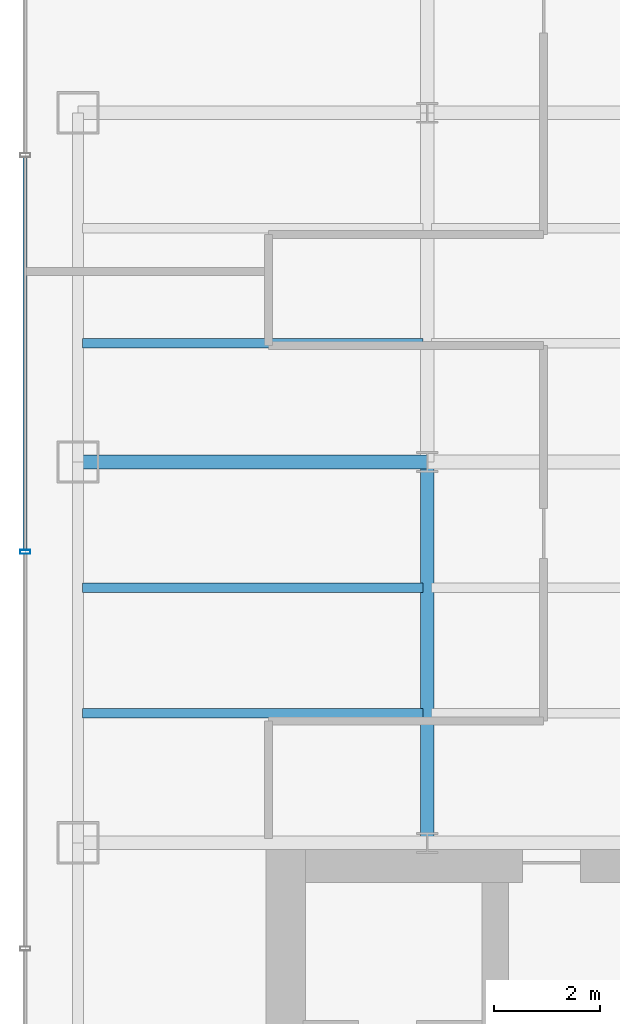
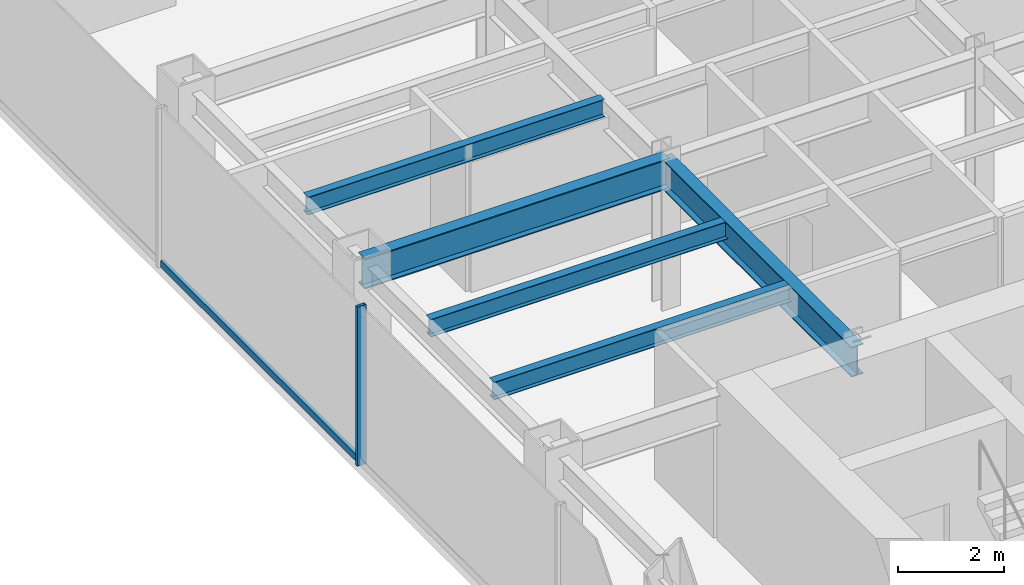
# One storey, part 4 of 26: 5 beams, 2 members, 1 element without a shape of its own.
"""IFC4 building model written with IfcOpenShell, lengths in metres."""

import ifcopenshell
import ifcopenshell.guid

model = None  # the IFC model being written
_history = None  # IfcOwnerHistory: only IFC2X3 demands one
_inside = {}  # id of a spatial element -> (the spatial element, [elements in it])
_under = {}  # id of a project, library or spatial element -> (it, [spatial elements below it])
_declared = {}  # id of a project -> (the project, [libraries it declares])
_typed = {}  # id of a type object -> (the type object, [elements of that type])
_made_of = {}  # id of a material, layer set ... -> (it, [elements and type objects made of it])


def new_model(schema):
    """Start an empty IFC model of exactly this schema.

    Asked for "IFC4X3", IfcOpenShell would pick the latest addendum, in which some entities
    have other attributes; the version numbers below select the first issue.
    IFC2X3 requires an IfcOwnerHistory on every rooted entity: one is made here for all.
    """
    global model, _history
    if schema == "IFC4X3":
        model = ifcopenshell.file(schema_version=(4, 3, 0, 0))
    else:
        model = ifcopenshell.file(schema=schema)
    _inside.clear()
    _under.clear()
    _declared.clear()
    _typed.clear()
    _made_of.clear()
    _history = None
    if model.schema == "IFC2X3":
        org = make("IfcOrganization", Name="unknown")
        user = make(
            "IfcPersonAndOrganization",
            ThePerson=make("IfcPerson", FamilyName="unknown"),
            TheOrganization=org,
        )
        app = make(
            "IfcApplication",
            ApplicationDeveloper=org,
            Version="unknown",
            ApplicationFullName="unknown",
            ApplicationIdentifier="unknown",
        )
        _history = make(
            "IfcOwnerHistory",
            OwningUser=user,
            OwningApplication=app,
            ChangeAction="ADDED",
            CreationDate=0,
        )
    return model


def make(cls, **values):
    """One entity of the class cls with the attributes given. An attribute that is None is left unset."""
    return model.create_entity(
        cls, **{name: value for name, value in values.items() if value is not None}
    )


def rooted(cls, **values):
    """An entity with a GlobalId (a new one), such as an element, a storey or a relation."""
    return make(cls, GlobalId=ifcopenshell.guid.new(), OwnerHistory=_history, **values)


def si_unit(unit_type, name, prefix=None):
    """IfcSIUnit, for example si_unit("LENGTHUNIT", "METRE", prefix="MILLI")."""
    return make("IfcSIUnit", UnitType=unit_type, Prefix=prefix, Name=name)


def derived_unit(unit_type, elements):
    """IfcDerivedUnit: a product of units, each with its exponent."""
    return make(
        "IfcDerivedUnit",
        Elements=[
            make("IfcDerivedUnitElement", Unit=unit, Exponent=power)
            for unit, power in elements
        ],
        UnitType=unit_type,
    )


def assignment(units):
    """IfcUnitAssignment: the units of a project."""
    return None if units is None else make("IfcUnitAssignment", Units=units)


def point(xyz):
    """IfcCartesianPoint."""
    return None if xyz is None else make("IfcCartesianPoint", Coordinates=xyz)


def direction(xyz):
    """IfcDirection."""
    return None if xyz is None else make("IfcDirection", DirectionRatios=xyz)


def frame(location, z_axis=None, x_axis=None):
    """IfcAxis2Placement3D, a coordinate frame: its origin and axes. An axis left out is left unset."""
    return make(
        "IfcAxis2Placement3D",
        Location=point(location),
        Axis=direction(z_axis),
        RefDirection=direction(x_axis),
    )


def frame_2d(location, x_axis=None):
    """IfcAxis2Placement2D, a coordinate frame in the plane: its origin and x axis."""
    return make(
        "IfcAxis2Placement2D", Location=point(location), RefDirection=direction(x_axis)
    )


def origin():
    """The frame at (0, 0, 0) with its axes left unset."""
    return frame((0.0, 0.0, 0.0))


def origin_2d():
    """The frame at (0, 0) in the plane with its x axis left unset."""
    return frame_2d((0.0, 0.0))


def place(relative_to, where):
    """IfcLocalPlacement: puts the frame where relative to a parent placement (None: the world)."""
    return make(
        "IfcLocalPlacement", PlacementRelTo=relative_to, RelativePlacement=where
    )


def context(
    kind, dimensions, precision=None, world=None, true_north=None, identifier=None
):
    """IfcGeometricRepresentationContext, for example the 3D "Model" context."""
    return make(
        "IfcGeometricRepresentationContext",
        ContextIdentifier=identifier,
        ContextType=kind,
        CoordinateSpaceDimension=dimensions,
        Precision=precision,
        WorldCoordinateSystem=world,
        TrueNorth=true_north,
    )


def subcontext(parent, identifier, kind, view, scale=None):
    """IfcGeometricRepresentationSubContext, for example "Body" below "Model"."""
    return make(
        "IfcGeometricRepresentationSubContext",
        ContextIdentifier=identifier,
        ContextType=kind,
        ParentContext=parent,
        TargetScale=scale,
        TargetView=view,
    )


def project(units=None, contexts=None):
    """IfcProject with its units and contexts."""
    return rooted(
        "IfcProject",
        Name="project",
        RepresentationContexts=contexts,
        UnitsInContext=assignment(units),
    )


def spatial(cls, under=None, at=None, **own):
    """A site, building, storey or space (cls), placed at a placement, below another one or the project."""
    s = rooted(cls, ObjectPlacement=at, **own)
    if under is not None:
        _under.setdefault(under.id(), (under, []))[1].append(s)
    return s


def profile(cls, at=None, kind="AREA", **sizes):
    """A parametric profile (cls). Its sizes go by their IFC names, for example OverallWidth=200.0."""
    return make(cls, ProfileType=kind, Position=at, **sizes)


def hollow_rectangle(**sizes):
    """IfcRectangleHollowProfileDef."""
    return profile("IfcRectangleHollowProfileDef", **sizes)


def i_section(**sizes):
    """IfcIShapeProfileDef."""
    return profile("IfcIShapeProfileDef", **sizes)


def extrude(swept, where, along, depth):
    """IfcExtrudedAreaSolid: the profile swept, set in the frame where, extruded along a direction by depth."""
    return make(
        "IfcExtrudedAreaSolid",
        SweptArea=swept,
        Position=where,
        ExtrudedDirection=direction(along),
        Depth=depth,
    )


def shape(context_of_items, identifier, shape_type, items):
    """IfcShapeRepresentation: the items that make up one representation, for example the "Body"."""
    return make(
        "IfcShapeRepresentation",
        ContextOfItems=context_of_items,
        RepresentationIdentifier=identifier,
        RepresentationType=shape_type,
        Items=items,
    )


def source(mapping_origin, context_of_items, identifier, shape_type, items):
    """IfcRepresentationMap: a shape defined once, which mapped items show again and again."""
    return make(
        "IfcRepresentationMap",
        MappingOrigin=mapping_origin,
        MappedRepresentation=shape(context_of_items, identifier, shape_type, items),
    )


def transform(
    local_origin,
    x_axis=None,
    y_axis=None,
    z_axis=None,
    scale=None,
    scale2=None,
    scale3=None,
    uniform=True,
):
    """IfcCartesianTransformationOperator3D, or its non-uniform kind. x_axis, y_axis, z_axis: its Axis1, 2, 3."""
    if uniform:
        return make(
            "IfcCartesianTransformationOperator3D",
            Axis1=direction(x_axis),
            Axis2=direction(y_axis),
            LocalOrigin=point(local_origin),
            Scale=scale,
            Axis3=direction(z_axis),
        )
    return make(
        "IfcCartesianTransformationOperator3DnonUniform",
        Axis1=direction(x_axis),
        Axis2=direction(y_axis),
        LocalOrigin=point(local_origin),
        Scale=scale,
        Axis3=direction(z_axis),
        Scale2=scale2,
        Scale3=scale3,
    )


def mapped(mapping_source, mapping_target):
    """IfcMappedItem: shows the shape of a source again, moved by a transform."""
    return make(
        "IfcMappedItem", MappingSource=mapping_source, MappingTarget=mapping_target
    )


def material(Name=None, Category=None):
    """IfcMaterial."""
    return make("IfcMaterial", Name=Name, Category=Category)


def material_profile(
    of_material, cross_section, Name=None, Category=None, Priority=None
):
    """IfcMaterialProfile: a cross section and its material."""
    return make(
        "IfcMaterialProfile",
        Name=Name,
        Material=of_material,
        Profile=cross_section,
        Priority=Priority,
        Category=Category,
    )


def profile_set(profiles, Name=None, composite=None):
    """IfcMaterialProfileSet."""
    return make(
        "IfcMaterialProfileSet",
        Name=Name,
        MaterialProfiles=profiles,
        CompositeProfile=composite,
    )


def made_of(thing, what):
    """Note that an element or type object is made of a material, layer set ...; save() writes the relation."""
    if what is not None:
        _made_of.setdefault(what.id(), (what, []))[1].append(thing)
    return thing


def type_object(cls, material=None, **own):
    """A type object (cls), such as IfcWallType, which elements share."""
    return made_of(rooted(cls, **own), material)


def element(
    cls,
    number,
    at=None,
    inside=None,
    cuts=None,
    type_object=None,
    material=None,
    context=None,
    identifier="Body",
    shape_type=None,
    held_by="IfcProductDefinitionShape",
    body=None,
    shapes=None,
    **own,
):
    """One element of the class cls, such as IfcWall. Its Tag is "e" and its number.

    at: its placement. inside: the storey or other place that contains it. cuts: it is an
    opening in that element (IfcRelVoidsElement). A single representation is given by context,
    identifier, shape_type and body (its items); several are given by shapes. held_by: the class
    of the entity that holds the representations. save() writes the other relations.
    """
    e = rooted(cls, Tag="e%d" % number, ObjectPlacement=at, **own)
    if body is not None:
        shapes = [shape(context, identifier, shape_type, body)]
    if shapes is not None:
        e.Representation = make(held_by, Representations=shapes)
    if inside is not None:
        _inside.setdefault(inside.id(), (inside, []))[1].append(e)
    if cuts is not None:
        rooted(
            "IfcRelVoidsElement", RelatingBuildingElement=cuts, RelatedOpeningElement=e
        )
    if type_object is not None:
        _typed.setdefault(type_object.id(), (type_object, []))[1].append(e)
    return made_of(e, material)


def aggregate(whole, parts):
    """IfcRelAggregates: a whole, such as a stair, and the parts it consists of."""
    return rooted("IfcRelAggregates", RelatingObject=whole, RelatedObjects=parts)


def save(model, path):
    """Write the relations noted so far, then the file.

    IfcRelAggregates (storeys below a building ...), IfcRelContainedInSpatialStructure (elements
    in a storey), IfcRelDefinesByType, IfcRelAssociatesMaterial and IfcRelDeclares: one each for
    every whole, place, type object, material and project.
    """
    for whole, parts in _under.values():
        aggregate(whole, parts)
    for where, things in _inside.values():
        rooted(
            "IfcRelContainedInSpatialStructure",
            RelatedElements=things,
            RelatingStructure=where,
        )
    for kind, things in _typed.values():
        rooted("IfcRelDefinesByType", RelatedObjects=things, RelatingType=kind)
    for what, things in _made_of.values():
        rooted("IfcRelAssociatesMaterial", RelatedObjects=things, RelatingMaterial=what)
    for by, libraries in _declared.values():
        rooted("IfcRelDeclares", RelatingContext=by, RelatedDefinitions=libraries)
    model.write(path)


model = new_model("IFC4")

# Units and contexts
model_context = context("Model", 3, precision=1e-05, world=origin(), true_north=direction((0.0, 1.0)))
body_context = subcontext(model_context, "Body", "Model", "MODEL_VIEW")
ifc_project = project(units=[si_unit("LENGTHUNIT", "METRE"), si_unit("AREAUNIT", "SQUARE_METRE"), si_unit("VOLUMEUNIT", "CUBIC_METRE"), si_unit("PLANEANGLEUNIT", "RADIAN"), si_unit("MASSUNIT", "GRAM", prefix="KILO"), derived_unit("THERMALTRANSMITTANCEUNIT", [(si_unit("POWERUNIT", "WATT"), 1), (si_unit("LENGTHUNIT", "METRE"), -2), (si_unit("THERMODYNAMICTEMPERATUREUNIT", "KELVIN"), -1)])], contexts=[model_context])

# Site, building, storey
site_placement = place(None, origin())
site = spatial("IfcSite", under=ifc_project, at=site_placement, CompositionType="ELEMENT")
building_placement = place(site_placement, origin())
building = spatial("IfcBuilding", under=site, at=building_placement, Name="Skarnbrae Concourse Arena and Tower", CompositionType="ELEMENT")
storey_placement = place(building_placement, frame((0.0, 0.0, 106.89990234375)))
storey = spatial("IfcBuildingStorey", under=building, at=storey_placement, Name="L26", CompositionType="ELEMENT", Elevation=106.89990234375)

# Beams
ifc_material_1 = material(Name="Steel CSA G40.21 350W", Category="steel")
ifc_material_profile_1 = material_profile(ifc_material_1, i_section(OverallWidth=0.256103515625, OverallDepth=0.693115234375, WebThickness=0.014404296875, FlangeThickness=0.023681640625, at=origin_2d()), Name="W690X170")
ifc_profile_set_1 = profile_set([ifc_material_profile_1], Name="Steel CSA G40.21 350W")
beam_type_1 = type_object("IfcBeamType", Name="BM-GIRD-W690X170", PredefinedType="BEAM", material=ifc_profile_set_1)
shared_shape_1 = source(origin(), body_context, "Body", "SweptSolid", [
    extrude(i_section(OverallWidth=0.256103515625, OverallDepth=0.693115234375, WebThickness=0.014404296875, FlangeThickness=0.023681640625, at=origin_2d()), origin(), (0.0, 0.0, 1.0), 6.60009765625),
])
beam_1_placement = place(storey_placement, frame((1.0, 21.199951171875, 3.0537109375), z_axis=(1.0, 0.0, 0.0), x_axis=(0.0, 1.0, 0.0)))
element("IfcBeam", 1, at=beam_1_placement, inside=storey, type_object=beam_type_1, Name="L26 Primary E-W girder Y21.2-1", PredefinedType="BEAM", context=body_context, shape_type="MappedRepresentation", body=[
    mapped(shared_shape_1, transform((0.0, 0.0, 0.0))),
])
shared_shape_2 = source(origin(), body_context, "Body", "SweptSolid", [
    extrude(i_section(OverallWidth=0.256103515625, OverallDepth=0.693115234375, WebThickness=0.014404296875, FlangeThickness=0.023681640625, at=origin_2d()), origin(), (0.0, 0.0, 1.0), 7.199951171875),
])
beam_2_placement = place(storey_placement, frame((7.60009765625, 14.0, 3.0537109375), z_axis=(0.0, 1.0, 0.0), x_axis=(-1.0, 0.0, 0.0)))
element("IfcBeam", 2, at=beam_2_placement, inside=storey, type_object=beam_type_1, Name="L26 Primary N-S girder X7.6-1", PredefinedType="BEAM", context=body_context, shape_type="MappedRepresentation", body=[
    mapped(shared_shape_2, transform((0.0, 0.0, 0.0))),
])
ifc_material_profile_2 = material_profile(ifc_material_1, i_section(OverallWidth=0.177978515625, OverallDepth=0.406982421875, WebThickness=0.0078125, FlangeThickness=0.0126953125, at=origin_2d()), Name="W410X60")
ifc_profile_set_2 = profile_set([ifc_material_profile_2], Name="Steel CSA G40.21 350W")
beam_type_2 = type_object("IfcBeamType", Name="BM-JOIST-W410X60", PredefinedType="JOIST", material=ifc_profile_set_2)
shared_shape_3 = source(origin(), body_context, "Body", "SweptSolid", [
    extrude(i_section(OverallWidth=0.177978515625, OverallDepth=0.406982421875, WebThickness=0.0078125, FlangeThickness=0.0126953125, at=origin_2d()), origin(), (0.0, 0.0, 1.0), 6.43994140625),
])
for number, where, z_axis, x_axis, name in (
    (3, (1.080078125, 16.447998046875, 3.196533203125), (1.0, 0.0, 0.0), (0.0, 1.0, 0.0), "L26 Secondary floor joist 1.1.1"),
    (4, (1.080078125, 18.823974609375, 3.196533203125), (1.0, 0.0, 0.0), (0.0, 1.0, 0.0), "L26 Secondary floor joist 1.2.1"),
    (5, (1.080078125, 23.444091796875, 3.196533203125), (1.0, 0.0, 0.0), (0.0, 1.0, 0.0), "L26 Secondary floor joist 2.1.1"),
):
    element("IfcBeam", number, at=place(storey_placement, frame(where, z_axis=z_axis, x_axis=x_axis)), inside=storey, type_object=beam_type_2, Name=name, PredefinedType="JOIST", context=body_context, shape_type="MappedRepresentation", body=[
        mapped(shared_shape_3, transform((0.0, 0.0, 0.0))),
    ])

# Curtain wall, members
ifc_material_2 = material(Name="Bronze anodised aluminium 6063-T6", Category="aluminium")
curtain_wall_type = type_object("IfcCurtainWallType", Name="CW-SYS-04-MIDZONE", PredefinedType="USERDEFINED", material=ifc_material_2)
curtain_wall_placement = place(storey_placement, origin())
curtain_wall = element("IfcCurtainWall", 6, at=curtain_wall_placement, inside=storey, type_object=curtain_wall_type, Name="L26 Unitised curtain wall CW-L26-E19", ObjectType="UNITISED CURTAIN WALL", PredefinedType="USERDEFINED")
ifc_material_profile_3 = material_profile(ifc_material_2, hollow_rectangle(XDim=0.074951171875, YDim=0.195068359375, WallThickness=0.00439453125, at=origin_2d()), Name="ALU-MULL-75X195")
ifc_profile_set_3 = profile_set([ifc_material_profile_3], Name="Bronze anodised aluminium 6063-T6")
member_type_1 = type_object("IfcMemberType", Name="CWM-CW-04", PredefinedType="MULLION", material=ifc_profile_set_3)
shared_shape_4 = source(origin(), body_context, "Body", "SweptSolid", [
    extrude(hollow_rectangle(XDim=0.074951171875, YDim=0.195068359375, WallThickness=0.00439453125, at=origin_2d()), origin(), (0.0, 0.0, 1.0), 3.650146484375),
])
member_1_placement = place(storey_placement, frame((0.0, 19.5, 0.0), z_axis=(0.0, 0.0, 1.0), x_axis=(0.0, -1.0, 0.0)))
member_1 = element("IfcMember", 7, at=member_1_placement, type_object=member_type_1, Name="CW-L26-E19 Mullion 3", PredefinedType="MULLION", context=body_context, shape_type="MappedRepresentation", body=[
    mapped(shared_shape_4, transform((0.0, 0.0, 0.0))),
])
ifc_material_profile_4 = material_profile(ifc_material_2, hollow_rectangle(XDim=0.074951171875, YDim=0.159912109375, WallThickness=0.00439453125, at=origin_2d()), Name="ALU-TRAN-75X160")
ifc_profile_set_4 = profile_set([ifc_material_profile_4], Name="Bronze anodised aluminium 6063-T6")
member_type_2 = type_object("IfcMemberType", Name="CWT-CW-04", PredefinedType="USERDEFINED", material=ifc_profile_set_4)
shared_shape_5 = source(origin(), body_context, "Body", "SweptSolid", [
    extrude(hollow_rectangle(XDim=0.074951171875, YDim=0.159912109375, WallThickness=0.00439453125, at=origin_2d()), origin(), (0.0, 0.0, 1.0), 7.4248046875),
])
member_2_placement = place(storey_placement, frame((0.0, 26.96240234375, 0.080078125), z_axis=(0.0, -1.0, 0.0), x_axis=(1.0, 0.0, 0.0)))
member_2 = element("IfcMember", 8, at=member_2_placement, type_object=member_type_2, Name="CW-L26-E19 Transom 2", ObjectType="TRANSOM", PredefinedType="USERDEFINED", context=body_context, shape_type="MappedRepresentation", body=[
    mapped(shared_shape_5, transform((0.0, 0.0, 0.0))),
])
aggregate(curtain_wall, [member_1, member_2])

save(model, "model.ifc")
